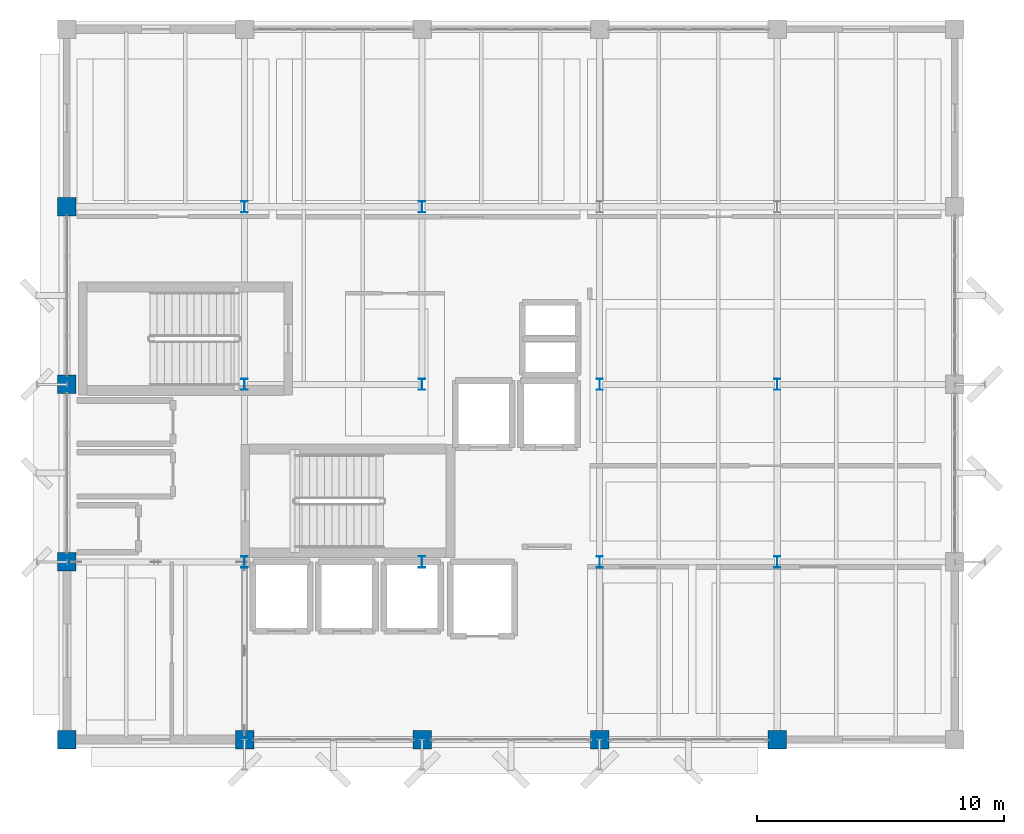
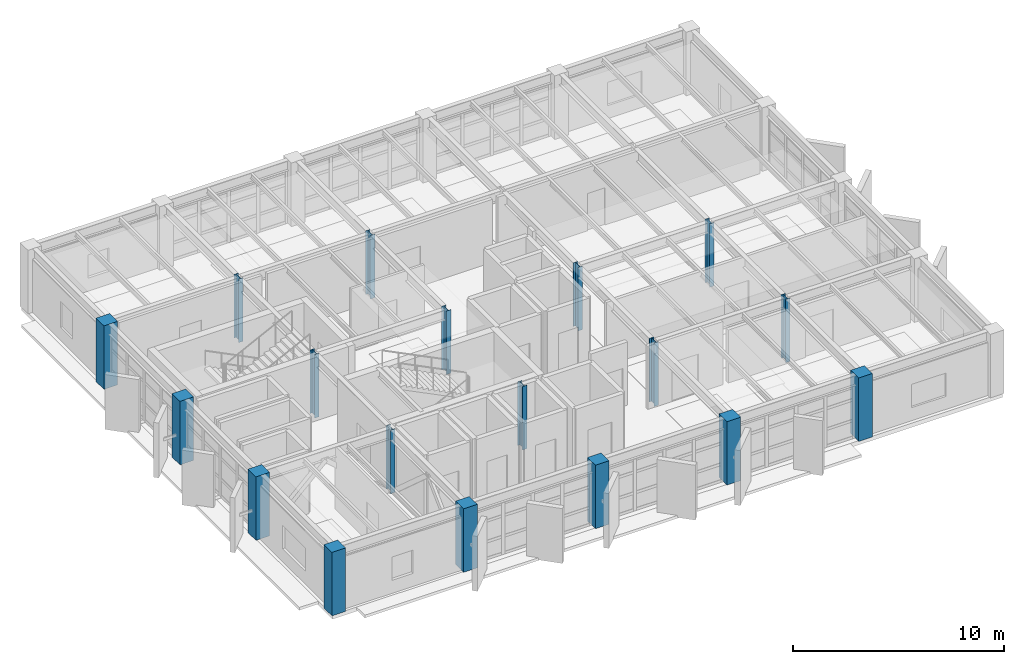
# One storey, part 1 of 24: 18 columns.
"""IFC4 building model written with IfcOpenShell, lengths in metres."""

import ifcopenshell
import ifcopenshell.guid

model = None  # the IFC model being written
_history = None  # IfcOwnerHistory: only IFC2X3 demands one
_inside = {}  # id of a spatial element -> (the spatial element, [elements in it])
_under = {}  # id of a project, library or spatial element -> (it, [spatial elements below it])
_declared = {}  # id of a project -> (the project, [libraries it declares])
_typed = {}  # id of a type object -> (the type object, [elements of that type])
_made_of = {}  # id of a material, layer set ... -> (it, [elements and type objects made of it])


def new_model(schema):
    """Start an empty IFC model of exactly this schema.

    Asked for "IFC4X3", IfcOpenShell would pick the latest addendum, in which some entities
    have other attributes; the version numbers below select the first issue.
    IFC2X3 requires an IfcOwnerHistory on every rooted entity: one is made here for all.
    """
    global model, _history
    if schema == "IFC4X3":
        model = ifcopenshell.file(schema_version=(4, 3, 0, 0))
    else:
        model = ifcopenshell.file(schema=schema)
    _inside.clear()
    _under.clear()
    _declared.clear()
    _typed.clear()
    _made_of.clear()
    _history = None
    if model.schema == "IFC2X3":
        org = make("IfcOrganization", Name="unknown")
        user = make(
            "IfcPersonAndOrganization",
            ThePerson=make("IfcPerson", FamilyName="unknown"),
            TheOrganization=org,
        )
        app = make(
            "IfcApplication",
            ApplicationDeveloper=org,
            Version="unknown",
            ApplicationFullName="unknown",
            ApplicationIdentifier="unknown",
        )
        _history = make(
            "IfcOwnerHistory",
            OwningUser=user,
            OwningApplication=app,
            ChangeAction="ADDED",
            CreationDate=0,
        )
    return model


def make(cls, **values):
    """One entity of the class cls with the attributes given. An attribute that is None is left unset."""
    return model.create_entity(
        cls, **{name: value for name, value in values.items() if value is not None}
    )


def rooted(cls, **values):
    """An entity with a GlobalId (a new one), such as an element, a storey or a relation."""
    return make(cls, GlobalId=ifcopenshell.guid.new(), OwnerHistory=_history, **values)


def si_unit(unit_type, name, prefix=None):
    """IfcSIUnit, for example si_unit("LENGTHUNIT", "METRE", prefix="MILLI")."""
    return make("IfcSIUnit", UnitType=unit_type, Prefix=prefix, Name=name)


def assignment(units):
    """IfcUnitAssignment: the units of a project."""
    return None if units is None else make("IfcUnitAssignment", Units=units)


def point(xyz):
    """IfcCartesianPoint."""
    return None if xyz is None else make("IfcCartesianPoint", Coordinates=xyz)


def direction(xyz):
    """IfcDirection."""
    return None if xyz is None else make("IfcDirection", DirectionRatios=xyz)


def frame(location, z_axis=None, x_axis=None):
    """IfcAxis2Placement3D, a coordinate frame: its origin and axes. An axis left out is left unset."""
    return make(
        "IfcAxis2Placement3D",
        Location=point(location),
        Axis=direction(z_axis),
        RefDirection=direction(x_axis),
    )


def frame_2d(location, x_axis=None):
    """IfcAxis2Placement2D, a coordinate frame in the plane: its origin and x axis."""
    return make(
        "IfcAxis2Placement2D", Location=point(location), RefDirection=direction(x_axis)
    )


def origin():
    """The frame at (0, 0, 0) with its axes left unset."""
    return frame((0.0, 0.0, 0.0))


def origin_2d():
    """The frame at (0, 0) in the plane with its x axis left unset."""
    return frame_2d((0.0, 0.0))


def place(relative_to, where):
    """IfcLocalPlacement: puts the frame where relative to a parent placement (None: the world)."""
    return make(
        "IfcLocalPlacement", PlacementRelTo=relative_to, RelativePlacement=where
    )


def context(
    kind, dimensions, precision=None, world=None, true_north=None, identifier=None
):
    """IfcGeometricRepresentationContext, for example the 3D "Model" context."""
    return make(
        "IfcGeometricRepresentationContext",
        ContextIdentifier=identifier,
        ContextType=kind,
        CoordinateSpaceDimension=dimensions,
        Precision=precision,
        WorldCoordinateSystem=world,
        TrueNorth=true_north,
    )


def subcontext(parent, identifier, kind, view, scale=None):
    """IfcGeometricRepresentationSubContext, for example "Body" below "Model"."""
    return make(
        "IfcGeometricRepresentationSubContext",
        ContextIdentifier=identifier,
        ContextType=kind,
        ParentContext=parent,
        TargetScale=scale,
        TargetView=view,
    )


def project(units=None, contexts=None):
    """IfcProject with its units and contexts."""
    return rooted(
        "IfcProject",
        Name="project",
        RepresentationContexts=contexts,
        UnitsInContext=assignment(units),
    )


def spatial(cls, under=None, at=None, **own):
    """A site, building, storey or space (cls), placed at a placement, below another one or the project."""
    s = rooted(cls, ObjectPlacement=at, **own)
    if under is not None:
        _under.setdefault(under.id(), (under, []))[1].append(s)
    return s


def profile(cls, at=None, kind="AREA", **sizes):
    """A parametric profile (cls). Its sizes go by their IFC names, for example OverallWidth=200.0."""
    return make(cls, ProfileType=kind, Position=at, **sizes)


def rectangle(**sizes):
    """IfcRectangleProfileDef."""
    return profile("IfcRectangleProfileDef", **sizes)


def i_section(**sizes):
    """IfcIShapeProfileDef."""
    return profile("IfcIShapeProfileDef", **sizes)


def extrude(swept, where, along, depth):
    """IfcExtrudedAreaSolid: the profile swept, set in the frame where, extruded along a direction by depth."""
    return make(
        "IfcExtrudedAreaSolid",
        SweptArea=swept,
        Position=where,
        ExtrudedDirection=direction(along),
        Depth=depth,
    )


def shape(context_of_items, identifier, shape_type, items):
    """IfcShapeRepresentation: the items that make up one representation, for example the "Body"."""
    return make(
        "IfcShapeRepresentation",
        ContextOfItems=context_of_items,
        RepresentationIdentifier=identifier,
        RepresentationType=shape_type,
        Items=items,
    )


def material(Name=None, Category=None):
    """IfcMaterial."""
    return make("IfcMaterial", Name=Name, Category=Category)


def material_profile(
    of_material, cross_section, Name=None, Category=None, Priority=None
):
    """IfcMaterialProfile: a cross section and its material."""
    return make(
        "IfcMaterialProfile",
        Name=Name,
        Material=of_material,
        Profile=cross_section,
        Priority=Priority,
        Category=Category,
    )


def profile_set(profiles, Name=None, composite=None):
    """IfcMaterialProfileSet."""
    return make(
        "IfcMaterialProfileSet",
        Name=Name,
        MaterialProfiles=profiles,
        CompositeProfile=composite,
    )


def made_of(thing, what):
    """Note that an element or type object is made of a material, layer set ...; save() writes the relation."""
    if what is not None:
        _made_of.setdefault(what.id(), (what, []))[1].append(thing)
    return thing


def type_object(cls, material=None, **own):
    """A type object (cls), such as IfcWallType, which elements share."""
    return made_of(rooted(cls, **own), material)


def element(
    cls,
    number,
    at=None,
    inside=None,
    cuts=None,
    type_object=None,
    material=None,
    context=None,
    identifier="Body",
    shape_type=None,
    held_by="IfcProductDefinitionShape",
    body=None,
    shapes=None,
    **own,
):
    """One element of the class cls, such as IfcWall. Its Tag is "e" and its number.

    at: its placement. inside: the storey or other place that contains it. cuts: it is an
    opening in that element (IfcRelVoidsElement). A single representation is given by context,
    identifier, shape_type and body (its items); several are given by shapes. held_by: the class
    of the entity that holds the representations. save() writes the other relations.
    """
    e = rooted(cls, Tag="e%d" % number, ObjectPlacement=at, **own)
    if body is not None:
        shapes = [shape(context, identifier, shape_type, body)]
    if shapes is not None:
        e.Representation = make(held_by, Representations=shapes)
    if inside is not None:
        _inside.setdefault(inside.id(), (inside, []))[1].append(e)
    if cuts is not None:
        rooted(
            "IfcRelVoidsElement", RelatingBuildingElement=cuts, RelatedOpeningElement=e
        )
    if type_object is not None:
        _typed.setdefault(type_object.id(), (type_object, []))[1].append(e)
    return made_of(e, material)


def aggregate(whole, parts):
    """IfcRelAggregates: a whole, such as a stair, and the parts it consists of."""
    return rooted("IfcRelAggregates", RelatingObject=whole, RelatedObjects=parts)


def save(model, path):
    """Write the relations noted so far, then the file.

    IfcRelAggregates (storeys below a building ...), IfcRelContainedInSpatialStructure (elements
    in a storey), IfcRelDefinesByType, IfcRelAssociatesMaterial and IfcRelDeclares: one each for
    every whole, place, type object, material and project.
    """
    for whole, parts in _under.values():
        aggregate(whole, parts)
    for where, things in _inside.values():
        rooted(
            "IfcRelContainedInSpatialStructure",
            RelatedElements=things,
            RelatingStructure=where,
        )
    for kind, things in _typed.values():
        rooted("IfcRelDefinesByType", RelatedObjects=things, RelatingType=kind)
    for what, things in _made_of.values():
        rooted("IfcRelAssociatesMaterial", RelatedObjects=things, RelatingMaterial=what)
    for by, libraries in _declared.values():
        rooted("IfcRelDeclares", RelatingContext=by, RelatedDefinitions=libraries)
    model.write(path)


model = new_model("IFC4")

# Units and contexts
model_context = context("Model", 3, precision=1e-05, world=origin(), true_north=direction((0.0, 1.0)))
body_context = subcontext(model_context, "Body", "Model", "MODEL_VIEW")
ifc_project = project(units=[si_unit("LENGTHUNIT", "METRE"), si_unit("AREAUNIT", "SQUARE_METRE"), si_unit("VOLUMEUNIT", "CUBIC_METRE"), si_unit("PLANEANGLEUNIT", "RADIAN"), si_unit("MASSUNIT", "GRAM", prefix="KILO")], contexts=[model_context])

# Site, building, storey
site_placement = place(None, origin())
site = spatial("IfcSite", under=ifc_project, at=site_placement, CompositionType="ELEMENT")
building_placement = place(site_placement, origin())
building = spatial("IfcBuilding", under=site, at=building_placement, Name="Kandorven Conservatory and Botanical Research Centre", CompositionType="ELEMENT")
storey_placement = place(building_placement, frame((0.0, 0.0, 21.0)))
storey = spatial("IfcBuildingStorey", under=building, at=storey_placement, Name="L05", CompositionType="ELEMENT", Elevation=21.0)

# Columns
ifc_material_1 = material(Name="Steel S355 (IS 2062 E350)", Category="steel")
ifc_material_profile_1 = material_profile(ifc_material_1, i_section(OverallWidth=0.25, OverallDepth=0.449951171875, WebThickness=0.01123046875, FlangeThickness=0.013671875, at=origin_2d()))
ifc_profile_set_1 = profile_set([ifc_material_profile_1], Name="Steel S355 (IS 2062 E350)")
column_type_1 = type_object("IfcColumnType", Name="Col_SC-01", PredefinedType="COLUMN", material=ifc_profile_set_1)
for number, where, z_axis, x_axis, name in (
    (1, (13.199951171875, 13.199951171875, 0.0), (0.0, 0.0, 1.0), (1.0, 0.0, 0.0), "Column SC-01 TWR L05 (2,2)"),
    (2, (13.199951171875, 20.39990234375, 0.0), (0.0, 0.0, 1.0), (1.0, 0.0, 0.0), "Column SC-01 TWR L05 (2,3)"),
    (3, (13.199951171875, 27.60009765625, 0.0), (0.0, 0.0, 1.0), (1.0, 0.0, 0.0), "Column SC-01 TWR L05 (2,4)"),
    (4, (20.39990234375, 13.199951171875, 0.0), (0.0, 0.0, 1.0), (1.0, 0.0, 0.0), "Column SC-01 TWR L05 (3,2)"),
    (5, (20.39990234375, 20.39990234375, 0.0), (0.0, 0.0, 1.0), (1.0, 0.0, 0.0), "Column SC-01 TWR L05 (3,3)"),
    (6, (20.39990234375, 27.60009765625, 0.0), (0.0, 0.0, 1.0), (1.0, 0.0, 0.0), "Column SC-01 TWR L05 (3,4)"),
    (7, (27.60009765625, 13.199951171875, 0.0), (0.0, 0.0, 1.0), (1.0, 0.0, 0.0), "Column SC-01 TWR L05 (4,2)"),
    (8, (27.60009765625, 20.39990234375, 0.0), (0.0, 0.0, 1.0), (1.0, 0.0, 0.0), "Column SC-01 TWR L05 (4,3)"),
    (9, (34.800048828125, 13.199951171875, 0.0), (0.0, 0.0, 1.0), (1.0, 0.0, 0.0), "Column SC-01 TWR L05 (5,2)"),
    (10, (34.800048828125, 20.39990234375, 0.0), (0.0, 0.0, 1.0), (1.0, 0.0, 0.0), "Column SC-01 TWR L05 (5,3)"),
):
    element("IfcColumn", number, at=place(storey_placement, frame(where, z_axis=z_axis, x_axis=x_axis)), inside=storey, type_object=column_type_1, Name=name, PredefinedType="COLUMN", context=body_context, shape_type="SweptSolid", body=[
        extrude(i_section(OverallWidth=0.25, OverallDepth=0.449951171875, WebThickness=0.01123046875, FlangeThickness=0.013671875, at=origin_2d()), origin(), (0.0, 0.0, 1.0), 3.669921875),
    ])
ifc_material_2 = material(Name="Concrete C40/50 (M50)", Category="concrete")
ifc_material_profile_2 = material_profile(ifc_material_2, rectangle(XDim=0.75, YDim=0.75, at=origin_2d()))
ifc_profile_set_2 = profile_set([ifc_material_profile_2], Name="Concrete C40/50 (M50)")
column_type_2 = type_object("IfcColumnType", Name="Col_TC-03", PredefinedType="COLUMN", material=ifc_profile_set_2)
for number, where, z_axis, x_axis, name in (
    (11, (6.0, 6.0, 0.0), (0.0, 0.0, 1.0), (1.0, 0.0, 0.0), "Column TC-03 TWR L05 (1,1)"),
    (12, (6.0, 13.199951171875, 0.0), (0.0, 0.0, 1.0), (1.0, 0.0, 0.0), "Column TC-03 TWR L05 (1,2)"),
    (13, (6.0, 20.39990234375, 0.0), (0.0, 0.0, 1.0), (1.0, 0.0, 0.0), "Column TC-03 TWR L05 (1,3)"),
    (14, (6.0, 27.60009765625, 0.0), (0.0, 0.0, 1.0), (1.0, 0.0, 0.0), "Column TC-03 TWR L05 (1,4)"),
    (15, (13.199951171875, 6.0, 0.0), (0.0, 0.0, 1.0), (1.0, 0.0, 0.0), "Column TC-03 TWR L05 (2,1)"),
    (16, (20.39990234375, 6.0, 0.0), (0.0, 0.0, 1.0), (1.0, 0.0, 0.0), "Column TC-03 TWR L05 (3,1)"),
    (17, (27.60009765625, 6.0, 0.0), (0.0, 0.0, 1.0), (1.0, 0.0, 0.0), "Column TC-03 TWR L05 (4,1)"),
    (18, (34.800048828125, 6.0, 0.0), (0.0, 0.0, 1.0), (1.0, 0.0, 0.0), "Column TC-03 TWR L05 (5,1)"),
):
    element("IfcColumn", number, at=place(storey_placement, frame(where, z_axis=z_axis, x_axis=x_axis)), inside=storey, type_object=column_type_2, Name=name, PredefinedType="COLUMN", context=body_context, shape_type="SweptSolid", body=[
        extrude(rectangle(XDim=0.75, YDim=0.75, at=origin_2d()), origin(), (0.0, 0.0, 1.0), 3.669921875),
    ])

save(model, "model.ifc")
